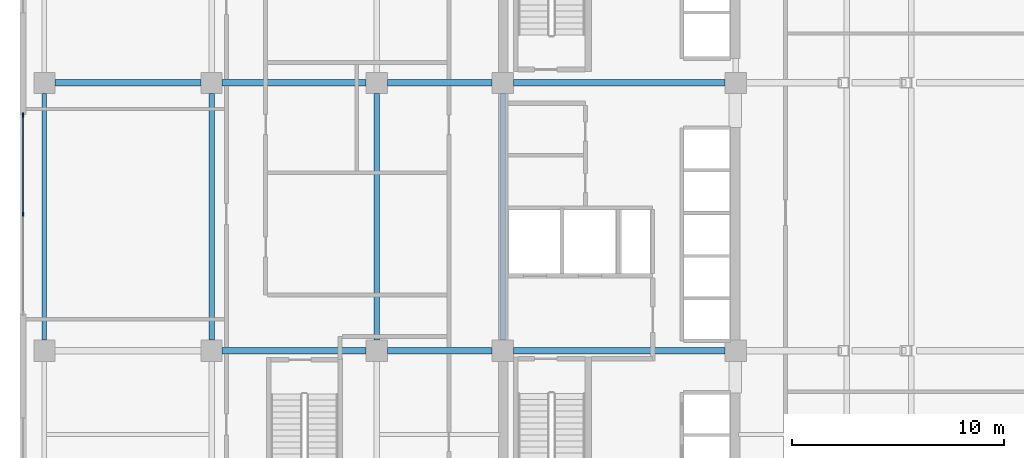
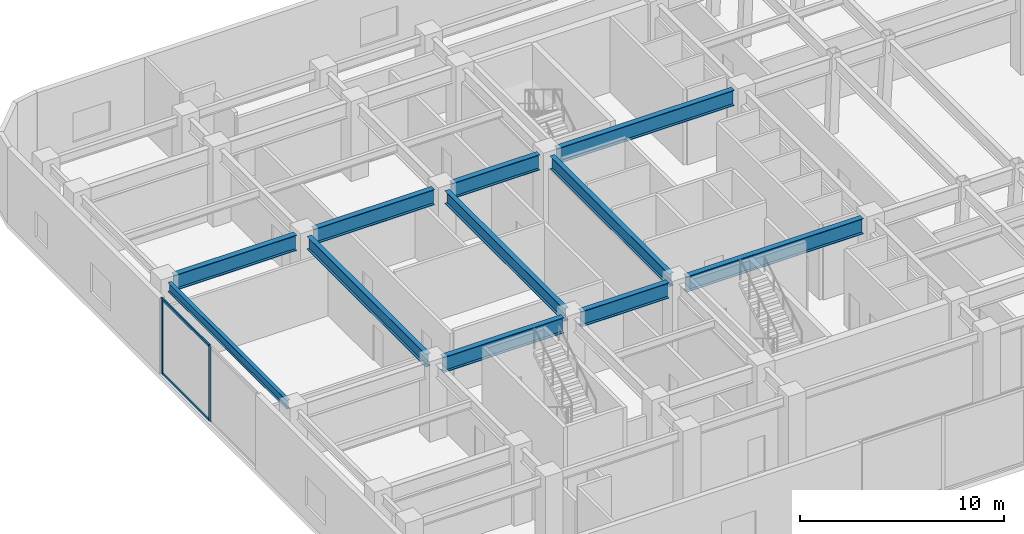
# One storey, part 3 of 12: 11 beams, 4 members, 1 element without a shape of its own.
"""IFC4 building model written with IfcOpenShell, lengths in metres."""

import ifcopenshell
import ifcopenshell.guid

model = None  # the IFC model being written
_history = None  # IfcOwnerHistory: only IFC2X3 demands one
_inside = {}  # id of a spatial element -> (the spatial element, [elements in it])
_under = {}  # id of a project, library or spatial element -> (it, [spatial elements below it])
_declared = {}  # id of a project -> (the project, [libraries it declares])
_typed = {}  # id of a type object -> (the type object, [elements of that type])
_made_of = {}  # id of a material, layer set ... -> (it, [elements and type objects made of it])


def new_model(schema):
    """Start an empty IFC model of exactly this schema.

    Asked for "IFC4X3", IfcOpenShell would pick the latest addendum, in which some entities
    have other attributes; the version numbers below select the first issue.
    IFC2X3 requires an IfcOwnerHistory on every rooted entity: one is made here for all.
    """
    global model, _history
    if schema == "IFC4X3":
        model = ifcopenshell.file(schema_version=(4, 3, 0, 0))
    else:
        model = ifcopenshell.file(schema=schema)
    _inside.clear()
    _under.clear()
    _declared.clear()
    _typed.clear()
    _made_of.clear()
    _history = None
    if model.schema == "IFC2X3":
        org = make("IfcOrganization", Name="unknown")
        user = make(
            "IfcPersonAndOrganization",
            ThePerson=make("IfcPerson", FamilyName="unknown"),
            TheOrganization=org,
        )
        app = make(
            "IfcApplication",
            ApplicationDeveloper=org,
            Version="unknown",
            ApplicationFullName="unknown",
            ApplicationIdentifier="unknown",
        )
        _history = make(
            "IfcOwnerHistory",
            OwningUser=user,
            OwningApplication=app,
            ChangeAction="ADDED",
            CreationDate=0,
        )
    return model


def make(cls, **values):
    """One entity of the class cls with the attributes given. An attribute that is None is left unset."""
    return model.create_entity(
        cls, **{name: value for name, value in values.items() if value is not None}
    )


def rooted(cls, **values):
    """An entity with a GlobalId (a new one), such as an element, a storey or a relation."""
    return make(cls, GlobalId=ifcopenshell.guid.new(), OwnerHistory=_history, **values)


def si_unit(unit_type, name, prefix=None):
    """IfcSIUnit, for example si_unit("LENGTHUNIT", "METRE", prefix="MILLI")."""
    return make("IfcSIUnit", UnitType=unit_type, Prefix=prefix, Name=name)


def assignment(units):
    """IfcUnitAssignment: the units of a project."""
    return None if units is None else make("IfcUnitAssignment", Units=units)


def point(xyz):
    """IfcCartesianPoint."""
    return None if xyz is None else make("IfcCartesianPoint", Coordinates=xyz)


def direction(xyz):
    """IfcDirection."""
    return None if xyz is None else make("IfcDirection", DirectionRatios=xyz)


def frame(location, z_axis=None, x_axis=None):
    """IfcAxis2Placement3D, a coordinate frame: its origin and axes. An axis left out is left unset."""
    return make(
        "IfcAxis2Placement3D",
        Location=point(location),
        Axis=direction(z_axis),
        RefDirection=direction(x_axis),
    )


def frame_2d(location, x_axis=None):
    """IfcAxis2Placement2D, a coordinate frame in the plane: its origin and x axis."""
    return make(
        "IfcAxis2Placement2D", Location=point(location), RefDirection=direction(x_axis)
    )


def origin():
    """The frame at (0, 0, 0) with its axes left unset."""
    return frame((0.0, 0.0, 0.0))


def origin_2d():
    """The frame at (0, 0) in the plane with its x axis left unset."""
    return frame_2d((0.0, 0.0))


def place(relative_to, where):
    """IfcLocalPlacement: puts the frame where relative to a parent placement (None: the world)."""
    return make(
        "IfcLocalPlacement", PlacementRelTo=relative_to, RelativePlacement=where
    )


def context(
    kind, dimensions, precision=None, world=None, true_north=None, identifier=None
):
    """IfcGeometricRepresentationContext, for example the 3D "Model" context."""
    return make(
        "IfcGeometricRepresentationContext",
        ContextIdentifier=identifier,
        ContextType=kind,
        CoordinateSpaceDimension=dimensions,
        Precision=precision,
        WorldCoordinateSystem=world,
        TrueNorth=true_north,
    )


def subcontext(parent, identifier, kind, view, scale=None):
    """IfcGeometricRepresentationSubContext, for example "Body" below "Model"."""
    return make(
        "IfcGeometricRepresentationSubContext",
        ContextIdentifier=identifier,
        ContextType=kind,
        ParentContext=parent,
        TargetScale=scale,
        TargetView=view,
    )


def project(units=None, contexts=None):
    """IfcProject with its units and contexts."""
    return rooted(
        "IfcProject",
        Name="project",
        RepresentationContexts=contexts,
        UnitsInContext=assignment(units),
    )


def spatial(cls, under=None, at=None, **own):
    """A site, building, storey or space (cls), placed at a placement, below another one or the project."""
    s = rooted(cls, ObjectPlacement=at, **own)
    if under is not None:
        _under.setdefault(under.id(), (under, []))[1].append(s)
    return s


def profile(cls, at=None, kind="AREA", **sizes):
    """A parametric profile (cls). Its sizes go by their IFC names, for example OverallWidth=200.0."""
    return make(cls, ProfileType=kind, Position=at, **sizes)


def rectangle(**sizes):
    """IfcRectangleProfileDef."""
    return profile("IfcRectangleProfileDef", **sizes)


def i_section(**sizes):
    """IfcIShapeProfileDef."""
    return profile("IfcIShapeProfileDef", **sizes)


def extrude(swept, where, along, depth):
    """IfcExtrudedAreaSolid: the profile swept, set in the frame where, extruded along a direction by depth."""
    return make(
        "IfcExtrudedAreaSolid",
        SweptArea=swept,
        Position=where,
        ExtrudedDirection=direction(along),
        Depth=depth,
    )


def shape(context_of_items, identifier, shape_type, items):
    """IfcShapeRepresentation: the items that make up one representation, for example the "Body"."""
    return make(
        "IfcShapeRepresentation",
        ContextOfItems=context_of_items,
        RepresentationIdentifier=identifier,
        RepresentationType=shape_type,
        Items=items,
    )


def material(Name=None, Category=None):
    """IfcMaterial."""
    return make("IfcMaterial", Name=Name, Category=Category)


def layer(
    of_material, thickness, ventilated=None, Name=None, Category=None, Priority=None
):
    """IfcMaterialLayer: one layer of a wall or slab, of a material (None: an air gap)."""
    return make(
        "IfcMaterialLayer",
        Material=of_material,
        LayerThickness=thickness,
        IsVentilated=ventilated,
        Name=Name,
        Category=Category,
        Priority=Priority,
    )


def layer_set(layers, Name=None):
    """IfcMaterialLayerSet."""
    return make("IfcMaterialLayerSet", MaterialLayers=layers, LayerSetName=Name)


def material_profile(
    of_material, cross_section, Name=None, Category=None, Priority=None
):
    """IfcMaterialProfile: a cross section and its material."""
    return make(
        "IfcMaterialProfile",
        Name=Name,
        Material=of_material,
        Profile=cross_section,
        Priority=Priority,
        Category=Category,
    )


def profile_set(profiles, Name=None, composite=None):
    """IfcMaterialProfileSet."""
    return make(
        "IfcMaterialProfileSet",
        Name=Name,
        MaterialProfiles=profiles,
        CompositeProfile=composite,
    )


def made_of(thing, what):
    """Note that an element or type object is made of a material, layer set ...; save() writes the relation."""
    if what is not None:
        _made_of.setdefault(what.id(), (what, []))[1].append(thing)
    return thing


def type_object(cls, material=None, **own):
    """A type object (cls), such as IfcWallType, which elements share."""
    return made_of(rooted(cls, **own), material)


def element(
    cls,
    number,
    at=None,
    inside=None,
    cuts=None,
    type_object=None,
    material=None,
    context=None,
    identifier="Body",
    shape_type=None,
    held_by="IfcProductDefinitionShape",
    body=None,
    shapes=None,
    **own,
):
    """One element of the class cls, such as IfcWall. Its Tag is "e" and its number.

    at: its placement. inside: the storey or other place that contains it. cuts: it is an
    opening in that element (IfcRelVoidsElement). A single representation is given by context,
    identifier, shape_type and body (its items); several are given by shapes. held_by: the class
    of the entity that holds the representations. save() writes the other relations.
    """
    e = rooted(cls, Tag="e%d" % number, ObjectPlacement=at, **own)
    if body is not None:
        shapes = [shape(context, identifier, shape_type, body)]
    if shapes is not None:
        e.Representation = make(held_by, Representations=shapes)
    if inside is not None:
        _inside.setdefault(inside.id(), (inside, []))[1].append(e)
    if cuts is not None:
        rooted(
            "IfcRelVoidsElement", RelatingBuildingElement=cuts, RelatedOpeningElement=e
        )
    if type_object is not None:
        _typed.setdefault(type_object.id(), (type_object, []))[1].append(e)
    return made_of(e, material)


def aggregate(whole, parts):
    """IfcRelAggregates: a whole, such as a stair, and the parts it consists of."""
    return rooted("IfcRelAggregates", RelatingObject=whole, RelatedObjects=parts)


def save(model, path):
    """Write the relations noted so far, then the file.

    IfcRelAggregates (storeys below a building ...), IfcRelContainedInSpatialStructure (elements
    in a storey), IfcRelDefinesByType, IfcRelAssociatesMaterial and IfcRelDeclares: one each for
    every whole, place, type object, material and project.
    """
    for whole, parts in _under.values():
        aggregate(whole, parts)
    for where, things in _inside.values():
        rooted(
            "IfcRelContainedInSpatialStructure",
            RelatedElements=things,
            RelatingStructure=where,
        )
    for kind, things in _typed.values():
        rooted("IfcRelDefinesByType", RelatedObjects=things, RelatingType=kind)
    for what, things in _made_of.values():
        rooted("IfcRelAssociatesMaterial", RelatedObjects=things, RelatingMaterial=what)
    for by, libraries in _declared.values():
        rooted("IfcRelDeclares", RelatingContext=by, RelatedDefinitions=libraries)
    model.write(path)


model = new_model("IFC4")

# Units and contexts
model_context = context("Model", 3, precision=1e-05, world=origin(), true_north=direction((0.0, 1.0)))
body_context = subcontext(model_context, "Body", "Model", "MODEL_VIEW")
ifc_project = project(units=[si_unit("LENGTHUNIT", "METRE"), si_unit("AREAUNIT", "SQUARE_METRE"), si_unit("VOLUMEUNIT", "CUBIC_METRE"), si_unit("PLANEANGLEUNIT", "RADIAN"), si_unit("MASSUNIT", "GRAM", prefix="KILO")], contexts=[model_context])

# Site, building, storey
site_placement = place(None, origin())
site = spatial("IfcSite", under=ifc_project, at=site_placement, CompositionType="ELEMENT")
building_placement = place(site_placement, origin())
building = spatial("IfcBuilding", under=site, at=building_placement, Name="Ochreholt Gables", CompositionType="ELEMENT")
storey_placement = place(building_placement, frame((0.0, 0.0, 9.60009765625)))
storey = spatial("IfcBuildingStorey", under=building, at=storey_placement, Name="L02", CompositionType="ELEMENT", Elevation=9.60009765625)

# Beams
ifc_material_1 = material(Name="Steel CSA G40.21 350W", Category="steel")
ifc_material_profile_1 = material_profile(ifc_material_1, i_section(OverallWidth=0.26806640625, OverallDepth=0.77001953125, WebThickness=0.015625, FlangeThickness=0.025390625, at=origin_2d()), Name="W760X196")
ifc_profile_set_1 = profile_set([ifc_material_profile_1], Name="Steel CSA G40.21 350W")
beam_type_1 = type_object("IfcBeamType", Name="BM-G-W760", PredefinedType="BEAM", material=ifc_profile_set_1)
for number, where, z_axis, x_axis, name in (
    (1, (10.449951171875, 18.049560546875, 4.135009765625), (0.0, 1.0, 0.0), (-1.0, 0.0, 0.0), "L02 Beam BG-L02-W2-Y3Y4"),
    (2, (18.25, 18.049560546875, 4.135009765625), (0.0, 1.0, 0.0), (-1.0, 0.0, 0.0), "L02 Beam BG-L02-W3-Y3Y4"),
    (3, (24.199951171875, 18.049560546875, 4.135009765625), (0.0, 1.0, 0.0), (-1.0, 0.0, 0.0), "L02 Beam BG-L02-C1-Y3Y4"),
):
    element("IfcBeam", number, at=place(storey_placement, frame(where, z_axis=z_axis, x_axis=x_axis)), inside=storey, type_object=beam_type_1, Name=name, PredefinedType="BEAM", context=body_context, shape_type="SweptSolid", body=[
        extrude(i_section(OverallWidth=0.26806640625, OverallDepth=0.77001953125, WebThickness=0.015625, FlangeThickness=0.025390625, at=origin_2d()), origin(), (0.0, 0.0, 1.0), 11.65087890625),
    ])
ifc_material_profile_2 = material_profile(ifc_material_1, i_section(OverallWidth=0.30810546875, OverallDepth=0.927001953125, WebThickness=0.019287109375, FlangeThickness=0.031982421875, at=origin_2d()), Name="W920X289")
ifc_profile_set_2 = profile_set([ifc_material_profile_2], Name="Steel CSA G40.21 350W")
beam_type_2 = type_object("IfcBeamType", Name="BM-G-W920", PredefinedType="BEAM", material=ifc_profile_set_2)
beam_1_placement = place(storey_placement, frame((10.94970703125, 17.550048828125, 4.056396484375), z_axis=(1.0, 0.0, 0.0), x_axis=(0.0, 1.0, 0.0)))
element("IfcBeam", 4, at=beam_1_placement, inside=storey, type_object=beam_type_2, Name="L02 Beam BG-L02-W2W3-Y3", PredefinedType="BEAM", context=body_context, shape_type="SweptSolid", body=[
    extrude(i_section(OverallWidth=0.30810546875, OverallDepth=0.927001953125, WebThickness=0.019287109375, FlangeThickness=0.031982421875, at=origin_2d()), origin(), (0.0, 0.0, 1.0), 6.80078125),
])
beam_2_placement = place(storey_placement, frame((18.74951171875, 17.550048828125, 4.056396484375), z_axis=(1.0, 0.0, 0.0), x_axis=(0.0, 1.0, 0.0)))
element("IfcBeam", 5, at=beam_2_placement, inside=storey, type_object=beam_type_2, Name="L02 Beam BG-L02-W3C1-Y3", PredefinedType="BEAM", context=body_context, shape_type="SweptSolid", body=[
    extrude(i_section(OverallWidth=0.30810546875, OverallDepth=0.927001953125, WebThickness=0.019287109375, FlangeThickness=0.031982421875, at=origin_2d()), origin(), (0.0, 0.0, 1.0), 4.950927734375),
])
beam_3_placement = place(storey_placement, frame((24.69970703125, 17.550048828125, 4.056396484375), z_axis=(1.0, 0.0, 0.0), x_axis=(0.0, 1.0, 0.0)))
element("IfcBeam", 6, at=beam_3_placement, inside=storey, type_object=beam_type_2, Name="L02 Beam BG-L02-C1C2-Y3", PredefinedType="BEAM", context=body_context, shape_type="SweptSolid", body=[
    extrude(i_section(OverallWidth=0.30810546875, OverallDepth=0.927001953125, WebThickness=0.019287109375, FlangeThickness=0.031982421875, at=origin_2d()), origin(), (0.0, 0.0, 1.0), 10.000732421875),
])
beam_4_placement = place(storey_placement, frame((3.049560546875, 30.199951171875, 4.056396484375), z_axis=(1.0, 0.0, 0.0), x_axis=(0.0, 1.0, 0.0)))
element("IfcBeam", 7, at=beam_4_placement, inside=storey, type_object=beam_type_2, Name="L02 Beam BG-L02-W1W2-Y4", PredefinedType="BEAM", context=body_context, shape_type="SweptSolid", body=[
    extrude(i_section(OverallWidth=0.30810546875, OverallDepth=0.927001953125, WebThickness=0.019287109375, FlangeThickness=0.031982421875, at=origin_2d()), origin(), (0.0, 0.0, 1.0), 6.90087890625),
])
beam_5_placement = place(storey_placement, frame((10.94970703125, 30.199951171875, 4.056396484375), z_axis=(1.0, 0.0, 0.0), x_axis=(0.0, 1.0, 0.0)))
element("IfcBeam", 8, at=beam_5_placement, inside=storey, type_object=beam_type_2, Name="L02 Beam BG-L02-W2W3-Y4", PredefinedType="BEAM", context=body_context, shape_type="SweptSolid", body=[
    extrude(i_section(OverallWidth=0.30810546875, OverallDepth=0.927001953125, WebThickness=0.019287109375, FlangeThickness=0.031982421875, at=origin_2d()), origin(), (0.0, 0.0, 1.0), 6.80078125),
])
beam_6_placement = place(storey_placement, frame((18.74951171875, 30.199951171875, 4.056396484375), z_axis=(1.0, 0.0, 0.0), x_axis=(0.0, 1.0, 0.0)))
element("IfcBeam", 9, at=beam_6_placement, inside=storey, type_object=beam_type_2, Name="L02 Beam BG-L02-W3C1-Y4", PredefinedType="BEAM", context=body_context, shape_type="SweptSolid", body=[
    extrude(i_section(OverallWidth=0.30810546875, OverallDepth=0.927001953125, WebThickness=0.019287109375, FlangeThickness=0.031982421875, at=origin_2d()), origin(), (0.0, 0.0, 1.0), 4.950927734375),
])
beam_7_placement = place(storey_placement, frame((24.69970703125, 30.199951171875, 4.056396484375), z_axis=(1.0, 0.0, 0.0), x_axis=(0.0, 1.0, 0.0)))
element("IfcBeam", 10, at=beam_7_placement, inside=storey, type_object=beam_type_2, Name="L02 Beam BG-L02-C1C2-Y4", PredefinedType="BEAM", context=body_context, shape_type="SweptSolid", body=[
    extrude(i_section(OverallWidth=0.30810546875, OverallDepth=0.927001953125, WebThickness=0.019287109375, FlangeThickness=0.031982421875, at=origin_2d()), origin(), (0.0, 0.0, 1.0), 10.000732421875),
])
ifc_material_profile_3 = material_profile(ifc_material_1, i_section(OverallWidth=0.208984375, OverallDepth=0.532958984375, WebThickness=0.01025390625, FlangeThickness=0.015625, at=origin_2d()), Name="W530X92")
ifc_profile_set_3 = profile_set([ifc_material_profile_3], Name="Steel CSA G40.21 350W")
beam_type_3 = type_object("IfcBeamType", Name="BM-SP-W530B", PredefinedType="SPANDREL", material=ifc_profile_set_3)
beam_8_placement = place(storey_placement, frame((2.550048828125, 18.049560546875, 4.25341796875), z_axis=(0.0, 1.0, 0.0), x_axis=(-1.0, 0.0, 0.0)))
element("IfcBeam", 11, at=beam_8_placement, inside=storey, type_object=beam_type_3, Name="L02 Beam BG-L02-W1-Y3Y4", PredefinedType="SPANDREL", context=body_context, shape_type="SweptSolid", body=[
    extrude(i_section(OverallWidth=0.208984375, OverallDepth=0.532958984375, WebThickness=0.01025390625, FlangeThickness=0.015625, at=origin_2d()), origin(), (0.0, 0.0, 1.0), 11.65087890625),
])

# Curtain wall, members
ifc_material_2 = material(Name="Unitised Aluminium and Triple Glazing", Category="aluminium")
ifc_layer = layer(ifc_material_2, 0.199951171875, Name="Unitised Aluminium and Triple Glazing")
ifc_layer_set = layer_set([ifc_layer], Name="Unitised Aluminium and Triple Glazing")
curtain_wall_type = type_object("IfcCurtainWallType", Name="CW-SYS1", PredefinedType="NOTDEFINED", material=ifc_layer_set)
curtain_wall_placement = place(storey_placement, origin())
curtain_wall = element("IfcCurtainWall", 12, at=curtain_wall_placement, inside=storey, type_object=curtain_wall_type, Name="L02 West Unitised Curtain Wall", PredefinedType="NOTDEFINED")
ifc_material_3 = material(Name="Anodized Aluminium 6063-T6", Category="aluminium")
ifc_material_profile_4 = material_profile(ifc_material_3, rectangle(XDim=0.074951171875, YDim=0.199951171875, at=origin_2d()), Name="CWM75X200")
ifc_profile_set_4 = profile_set([ifc_material_profile_4], Name="Anodized Aluminium 6063-T6")
member_type_1 = type_object("IfcMemberType", Name="CW-MUL-A", PredefinedType="MULLION", material=ifc_profile_set_4)
member_1_placement = place(storey_placement, frame((1.544921875, 28.67919921875, 0.0), z_axis=(0.0, 0.0, 1.0), x_axis=(1.0, 0.0, 0.0)))
member_1 = element("IfcMember", 13, at=member_1_placement, type_object=member_type_1, Name="CW-1 mullion 1", PredefinedType="MULLION", context=body_context, shape_type="SweptSolid", body=[
    extrude(rectangle(XDim=0.074951171875, YDim=0.199951171875, at=origin_2d()), origin(), (0.0, 0.0, 1.0), 4.52001953125),
])
member_2_placement = place(storey_placement, frame((1.544921875, 24.0, 0.0), z_axis=(0.0, 0.0, 1.0), x_axis=(1.0, 0.0, 0.0)))
member_2 = element("IfcMember", 14, at=member_2_placement, type_object=member_type_1, Name="CW-1 mullion 2", PredefinedType="MULLION", context=body_context, shape_type="SweptSolid", body=[
    extrude(rectangle(XDim=0.074951171875, YDim=0.199951171875, at=origin_2d()), origin(), (0.0, 0.0, 1.0), 4.52001953125),
])
ifc_material_profile_5 = material_profile(ifc_material_3, rectangle(XDim=0.074951171875, YDim=0.159912109375, at=origin_2d()), Name="CWT75X160")
ifc_profile_set_5 = profile_set([ifc_material_profile_5], Name="Anodized Aluminium 6063-T6")
member_type_2 = type_object("IfcMemberType", Name="CW-TRN-A", PredefinedType="USERDEFINED", material=ifc_profile_set_5)
member_3_placement = place(storey_placement, frame((1.544921875, 28.6416015625, 0.037353515625), z_axis=(0.0, -1.0, 0.0), x_axis=(1.0, 0.0, 0.0)))
member_3 = element("IfcMember", 15, at=member_3_placement, type_object=member_type_2, Name="CW-1 transom 1.1", ObjectType="TRANSOM", PredefinedType="USERDEFINED", context=body_context, shape_type="SweptSolid", body=[
    extrude(rectangle(XDim=0.074951171875, YDim=0.159912109375, at=origin_2d()), origin(), (0.0, 0.0, 1.0), 4.60400390625),
])
member_4_placement = place(storey_placement, frame((1.544921875, 28.6416015625, 4.482421875), z_axis=(0.0, -1.0, 0.0), x_axis=(1.0, 0.0, 0.0)))
member_4 = element("IfcMember", 16, at=member_4_placement, type_object=member_type_2, Name="CW-1 transom 1.2", ObjectType="TRANSOM", PredefinedType="USERDEFINED", context=body_context, shape_type="SweptSolid", body=[
    extrude(rectangle(XDim=0.074951171875, YDim=0.159912109375, at=origin_2d()), origin(), (0.0, 0.0, 1.0), 4.60400390625),
])
aggregate(curtain_wall, [member_1, member_2, member_3, member_4])

save(model, "model.ifc")
